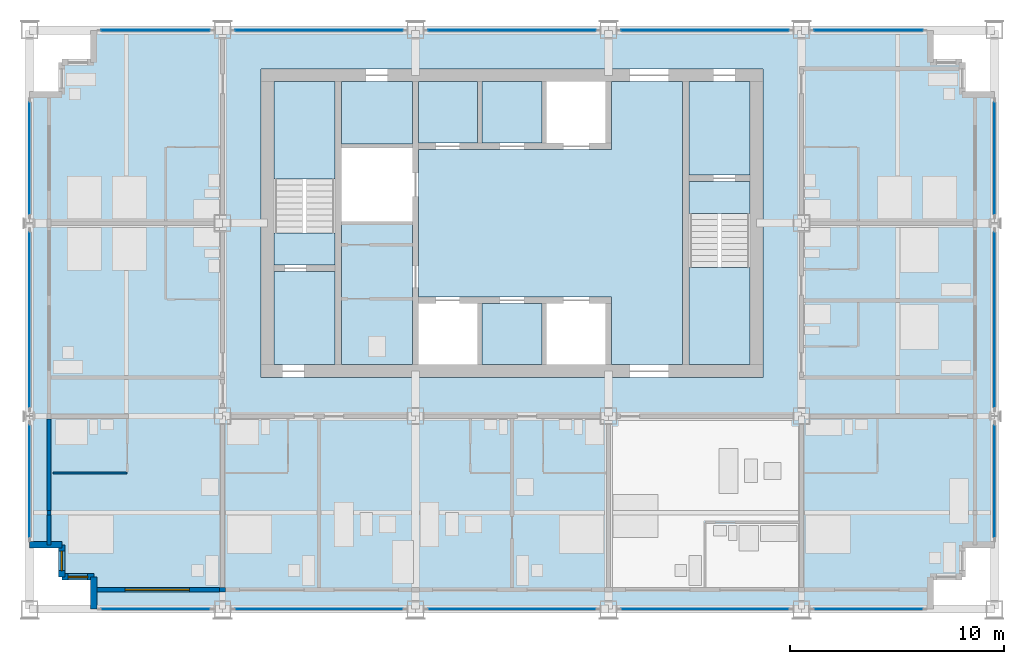
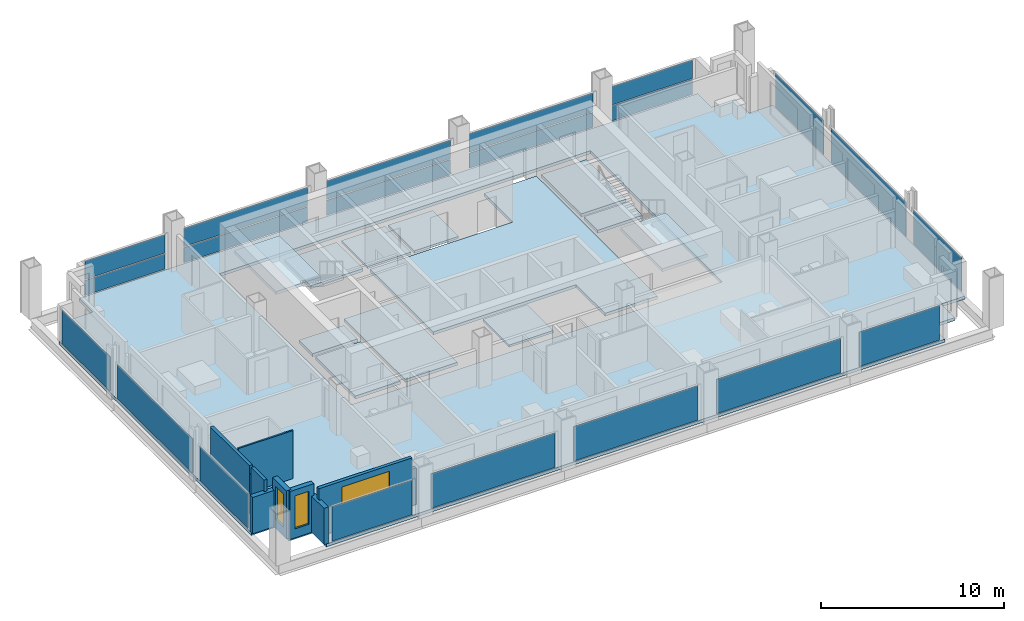
# One storey, part 6 of 13: 21 plates, 13 slabs, 10 walls, 3 windows, 3 openings, 18 elements without a shape of their own.
"""IFC4 building model written with IfcOpenShell, lengths in metres."""

from ifc_helpers import new_model, si_unit, direction, frame, frame_2d, origin, origin_2d, place, context, subcontext, project, spatial, polyline, rectangle, outline, extrude, material, layer, layer_set, type_object, element, fill, aggregate, save


model = new_model("IFC4")

# Units and contexts
model_context = context("Model", 3, precision=1e-05, world=origin(), true_north=direction((0.0, 1.0)))
body_context = subcontext(model_context, "Body", "Model", "MODEL_VIEW")
ifc_project = project(units=[si_unit("LENGTHUNIT", "METRE"), si_unit("AREAUNIT", "SQUARE_METRE"), si_unit("VOLUMEUNIT", "CUBIC_METRE"), si_unit("PLANEANGLEUNIT", "RADIAN"), si_unit("MASSUNIT", "GRAM", prefix="KILO")], contexts=[model_context])

# Site, building, storey
site_placement = place(None, origin())
site = spatial("IfcSite", under=ifc_project, at=site_placement, CompositionType="ELEMENT")
building_placement = place(site_placement, origin())
building = spatial("IfcBuilding", under=site, at=building_placement, Name="Loomwork Tower", CompositionType="ELEMENT")
storey_placement = place(building_placement, frame((0.0, 0.0, 194.39990234375)))
storey = spatial("IfcBuildingStorey", under=building, at=storey_placement, Name="L53", CompositionType="ELEMENT", Elevation=194.39990234375)

# Slabs
ifc_material_1 = material(Name="Concrete 5000 psi (34 MPa) on composite metal deck", Category="concrete")
ifc_layer_1 = layer(ifc_material_1, 0.199951171875)
ifc_layer_set_1 = layer_set([ifc_layer_1], Name="Floor slab 200")
slab_type_1 = type_object("IfcSlabType", Name="Floor slab 200", PredefinedType="FLOOR", material=ifc_layer_set_1)
slab_1_placement = place(storey_placement, frame((0.0, 0.0, -0.199951171875)))
element("IfcSlab", 1, at=slab_1_placement, inside=storey, type_object=slab_type_1, Name="Floor slab L53", PredefinedType="FLOOR", context=body_context, shape_type="SweptSolid", body=[
    extrude(outline(polyline([(3.0, 1.5), (1.5, 1.5), (1.5, 3.0), (0.0, 3.0), (0.0, 24.0), (1.5, 24.0), (1.5, 25.5), (3.0, 25.5), (3.0, 27.0), (42.0, 27.0), (42.0, 25.5), (43.5, 25.5), (43.5, 24.0), (45.0, 24.0), (45.0, 3.0), (43.5, 3.0), (43.5, 1.5), (42.0, 1.5), (42.0, 0.0), (3.0, 0.0), (3.0, 1.5)]), holes=[polyline([(10.800048828125, 11.39990234375), (10.800048828125, 11.39990234375), (10.800048828125, 10.800048828125), (34.199951171875, 10.800048828125), (34.199951171875, 11.39990234375), (34.199951171875, 11.39990234375), (34.199951171875, 24.60009765625), (34.199951171875, 25.199951171875), (10.800048828125, 25.199951171875), (10.800048828125, 24.60009765625), (10.800048828125, 11.39990234375)])]), origin(), (0.0, 0.0, 1.0), 0.199951171875),
])
slab_2_placement = place(storey_placement, frame((0.0, 0.0, -0.199951171875)))
element("IfcSlab", 2, at=slab_2_placement, inside=storey, type_object=slab_type_1, Name="Floor slab L53", PredefinedType="FLOOR", context=body_context, shape_type="SweptSolid", body=[
    extrude(outline(polyline([(30.449951171875, 24.60009765625), (30.449951171875, 11.39990234375), (27.14990234375, 11.39990234375), (27.14990234375, 14.25), (27.14990234375, 14.550048828125), (18.14990234375, 14.550048828125), (18.14990234375, 21.449951171875), (27.14990234375, 21.449951171875), (27.14990234375, 21.75), (27.14990234375, 24.60009765625), (30.449951171875, 24.60009765625)])), origin(), (0.0, 0.0, 1.0), 0.199951171875),
])
slab_3_placement = place(storey_placement, frame((0.0, 0.0, -0.199951171875)))
element("IfcSlab", 3, at=slab_3_placement, inside=storey, type_object=slab_type_1, Name="Floor slab L53", PredefinedType="FLOOR", context=body_context, shape_type="SweptSolid", body=[
    extrude(outline(polyline([(14.550048828125, 11.39990234375), (14.550048828125, 18.074951171875), (17.85009765625, 18.074951171875), (17.85009765625, 11.39990234375), (14.550048828125, 11.39990234375)])), origin(), (0.0, 0.0, 1.0), 0.199951171875),
])
slab_4_placement = place(storey_placement, frame((0.0, 0.0, -0.199951171875)))
element("IfcSlab", 4, at=slab_4_placement, inside=storey, type_object=slab_type_1, Name="Floor slab L53", PredefinedType="FLOOR", context=body_context, shape_type="SweptSolid", body=[
    extrude(outline(polyline([(33.60009765625, 20.25), (30.75, 20.25), (30.75, 24.60009765625), (33.60009765625, 24.60009765625), (33.60009765625, 20.25)])), origin(), (0.0, 0.0, 1.0), 0.199951171875),
])
slab_5_placement = place(storey_placement, frame((0.0, 0.0, -0.199951171875)))
element("IfcSlab", 5, at=slab_5_placement, inside=storey, type_object=slab_type_1, Name="Floor slab L53", PredefinedType="FLOOR", context=body_context, shape_type="SweptSolid", body=[
    extrude(outline(polyline([(14.25, 15.75), (14.25, 11.39990234375), (11.39990234375, 11.39990234375), (11.39990234375, 15.75), (14.25, 15.75)])), origin(), (0.0, 0.0, 1.0), 0.199951171875),
])
slab_6_placement = place(storey_placement, frame((0.0, 0.0, -0.199951171875)))
element("IfcSlab", 6, at=slab_6_placement, inside=storey, type_object=slab_type_1, Name="Floor slab L53", PredefinedType="FLOOR", context=body_context, shape_type="SweptSolid", body=[
    extrude(outline(polyline([(14.550048828125, 21.699951171875), (14.550048828125, 24.60009765625), (17.85009765625, 24.60009765625), (17.85009765625, 21.699951171875), (14.550048828125, 21.699951171875)])), origin(), (0.0, 0.0, 1.0), 0.199951171875),
])

# Curtain wall, plate
ifc_material_2 = material(Name="Aluminium curtain wall frame", Category="aluminium")
curtain_wall_type_1 = type_object("IfcCurtainWallType", Name="Outer skin glazing hotel", PredefinedType="NOTDEFINED", material=ifc_material_2)
curtain_wall_1_placement = place(storey_placement, origin())
curtain_wall_1 = element("IfcCurtainWall", 7, at=curtain_wall_1_placement, inside=storey, type_object=curtain_wall_type_1, Name="Outer skin glazing hotel cw/S-0", PredefinedType="NOTDEFINED")
ifc_material_3 = material(Name="Clear laminated glass", Category="glass")
ifc_layer_2 = layer(ifc_material_3, 0.02392578125)
ifc_layer_set_2 = layer_set([ifc_layer_2], Name="Outer skin glazing hotel panel")
plate_type_1 = type_object("IfcPlateType", Name="Outer skin glazing hotel panel", PredefinedType="CURTAIN_PANEL", material=ifc_layer_set_2)
plate_1_placement = place(storey_placement, frame((5.875, 0.0, 0.06494140625), z_axis=(0.0, 0.0, 1.0), x_axis=(1.0, 0.0, 0.0)))
plate_1 = element("IfcPlate", 8, at=plate_1_placement, type_object=plate_type_1, Name="CW1 panel 1.1", PredefinedType="CURTAIN_PANEL", context=body_context, shape_type="SweptSolid", body=[
    extrude(rectangle(XDim=5.050048828125, YDim=0.02392578125, at=origin_2d()), origin(), (0.0, 0.0, 1.0), 2.290283203125),
])
aggregate(curtain_wall_1, [plate_1])

curtain_wall_2_placement = place(storey_placement, origin())
curtain_wall_2 = element("IfcCurtainWall", 9, at=curtain_wall_2_placement, inside=storey, type_object=curtain_wall_type_1, Name="Outer skin glazing hotel cw/S-9", PredefinedType="NOTDEFINED")
plate_2_placement = place(storey_placement, frame((13.5, 0.0, 0.06494140625), z_axis=(0.0, 0.0, 1.0), x_axis=(1.0, 0.0, 0.0)))
plate_2 = element("IfcPlate", 10, at=plate_2_placement, type_object=plate_type_1, Name="CW1 panel 1.1", PredefinedType="CURTAIN_PANEL", context=body_context, shape_type="SweptSolid", body=[
    extrude(rectangle(XDim=7.800048828125, YDim=0.02392578125, at=origin_2d()), origin(), (0.0, 0.0, 1.0), 2.290283203125),
])
aggregate(curtain_wall_2, [plate_2])

curtain_wall_3_placement = place(storey_placement, origin())
curtain_wall_3 = element("IfcCurtainWall", 11, at=curtain_wall_3_placement, inside=storey, type_object=curtain_wall_type_1, Name="Outer skin glazing hotel cw/S-18", PredefinedType="NOTDEFINED")
plate_3_placement = place(storey_placement, frame((22.5, 0.0, 0.06494140625), z_axis=(0.0, 0.0, 1.0), x_axis=(1.0, 0.0, 0.0)))
plate_3 = element("IfcPlate", 12, at=plate_3_placement, type_object=plate_type_1, Name="CW1 panel 1.1", PredefinedType="CURTAIN_PANEL", context=body_context, shape_type="SweptSolid", body=[
    extrude(rectangle(XDim=7.800048828125, YDim=0.02392578125, at=origin_2d()), origin(), (0.0, 0.0, 1.0), 2.290283203125),
])
aggregate(curtain_wall_3, [plate_3])

curtain_wall_4_placement = place(storey_placement, origin())
curtain_wall_4 = element("IfcCurtainWall", 13, at=curtain_wall_4_placement, inside=storey, type_object=curtain_wall_type_1, Name="Outer skin glazing hotel cw/S-27", PredefinedType="NOTDEFINED")
plate_4_placement = place(storey_placement, frame((31.5, 0.0, 0.06494140625), z_axis=(0.0, 0.0, 1.0), x_axis=(1.0, 0.0, 0.0)))
plate_4 = element("IfcPlate", 14, at=plate_4_placement, type_object=plate_type_1, Name="CW1 panel 1.1", PredefinedType="CURTAIN_PANEL", context=body_context, shape_type="SweptSolid", body=[
    extrude(rectangle(XDim=7.800048828125, YDim=0.02392578125, at=origin_2d()), origin(), (0.0, 0.0, 1.0), 2.290283203125),
])
aggregate(curtain_wall_4, [plate_4])

curtain_wall_5_placement = place(storey_placement, origin())
curtain_wall_5 = element("IfcCurtainWall", 15, at=curtain_wall_5_placement, inside=storey, type_object=curtain_wall_type_1, Name="Outer skin glazing hotel cw/S-36", PredefinedType="NOTDEFINED")
plate_5_placement = place(storey_placement, frame((39.125, 0.0, 0.06494140625), z_axis=(0.0, 0.0, 1.0), x_axis=(1.0, 0.0, 0.0)))
plate_5 = element("IfcPlate", 16, at=plate_5_placement, type_object=plate_type_1, Name="CW1 panel 1.1", PredefinedType="CURTAIN_PANEL", context=body_context, shape_type="SweptSolid", body=[
    extrude(rectangle(XDim=5.050048828125, YDim=0.02392578125, at=origin_2d()), origin(), (0.0, 0.0, 1.0), 2.290283203125),
])
aggregate(curtain_wall_5, [plate_5])

curtain_wall_6_placement = place(storey_placement, origin())
curtain_wall_6 = element("IfcCurtainWall", 17, at=curtain_wall_6_placement, inside=storey, type_object=curtain_wall_type_1, Name="Outer skin glazing hotel cw/W-0", PredefinedType="NOTDEFINED")
plate_6_placement = place(storey_placement, frame((0.0, 5.96826171875, 0.06494140625), z_axis=(0.0, 0.0, 1.0), x_axis=(0.0, -1.0, 0.0)))
plate_6 = element("IfcPlate", 18, at=plate_6_placement, type_object=plate_type_1, Name="CW1 panel 1.1", PredefinedType="CURTAIN_PANEL", context=body_context, shape_type="SweptSolid", body=[
    extrude(rectangle(XDim=5.236572265625, YDim=0.02392578125, at=origin_2d()), origin(), (0.0, 0.0, 1.0), 2.290283203125),
])
aggregate(curtain_wall_6, [plate_6])

curtain_wall_7_placement = place(storey_placement, origin())
curtain_wall_7 = element("IfcCurtainWall", 19, at=curtain_wall_7_placement, inside=storey, type_object=curtain_wall_type_1, Name="Outer skin glazing hotel cw/W-9", PredefinedType="NOTDEFINED")
plate_7_placement = place(storey_placement, frame((0.0, 13.5, 0.06494140625), z_axis=(0.0, 0.0, 1.0), x_axis=(0.0, -1.0, 0.0)))
plate_7 = element("IfcPlate", 20, at=plate_7_placement, type_object=plate_type_1, Name="CW1 panel 1.1", PredefinedType="CURTAIN_PANEL", context=body_context, shape_type="SweptSolid", body=[
    extrude(rectangle(XDim=8.173095703125, YDim=0.02392578125, at=origin_2d()), origin(), (0.0, 0.0, 1.0), 2.290283203125),
])
aggregate(curtain_wall_7, [plate_7])

curtain_wall_8_placement = place(storey_placement, origin())
curtain_wall_8 = element("IfcCurtainWall", 21, at=curtain_wall_8_placement, inside=storey, type_object=curtain_wall_type_1, Name="Outer skin glazing hotel cw/W-18", PredefinedType="NOTDEFINED")
plate_8_placement = place(storey_placement, frame((0.0, 21.03173828125, 0.06494140625), z_axis=(0.0, 0.0, 1.0), x_axis=(0.0, -1.0, 0.0)))
plate_8 = element("IfcPlate", 22, at=plate_8_placement, type_object=plate_type_1, Name="CW1 panel 1.1", PredefinedType="CURTAIN_PANEL", context=body_context, shape_type="SweptSolid", body=[
    extrude(rectangle(XDim=5.236572265625, YDim=0.02392578125, at=origin_2d()), origin(), (0.0, 0.0, 1.0), 2.290283203125),
])
aggregate(curtain_wall_8, [plate_8])

curtain_wall_9_placement = place(storey_placement, origin())
curtain_wall_9 = element("IfcCurtainWall", 23, at=curtain_wall_9_placement, inside=storey, type_object=curtain_wall_type_1, Name="Outer skin glazing hotel cw/E-0", PredefinedType="NOTDEFINED")
plate_9_placement = place(storey_placement, frame((45.0, 5.96826171875, 0.06494140625), z_axis=(0.0, 0.0, 1.0), x_axis=(0.0, 1.0, 0.0)))
plate_9 = element("IfcPlate", 24, at=plate_9_placement, type_object=plate_type_1, Name="CW1 panel 1.1", PredefinedType="CURTAIN_PANEL", context=body_context, shape_type="SweptSolid", body=[
    extrude(rectangle(XDim=5.236572265625, YDim=0.02392578125, at=origin_2d()), origin(), (0.0, 0.0, 1.0), 2.290283203125),
])
aggregate(curtain_wall_9, [plate_9])

curtain_wall_10_placement = place(storey_placement, origin())
curtain_wall_10 = element("IfcCurtainWall", 25, at=curtain_wall_10_placement, inside=storey, type_object=curtain_wall_type_1, Name="Outer skin glazing hotel cw/E-9", PredefinedType="NOTDEFINED")
plate_10_placement = place(storey_placement, frame((45.0, 13.5, 0.06494140625), z_axis=(0.0, 0.0, 1.0), x_axis=(0.0, 1.0, 0.0)))
plate_10 = element("IfcPlate", 26, at=plate_10_placement, type_object=plate_type_1, Name="CW1 panel 1.1", PredefinedType="CURTAIN_PANEL", context=body_context, shape_type="SweptSolid", body=[
    extrude(rectangle(XDim=8.173095703125, YDim=0.02392578125, at=origin_2d()), origin(), (0.0, 0.0, 1.0), 2.290283203125),
])
aggregate(curtain_wall_10, [plate_10])

curtain_wall_11_placement = place(storey_placement, origin())
curtain_wall_11 = element("IfcCurtainWall", 27, at=curtain_wall_11_placement, inside=storey, type_object=curtain_wall_type_1, Name="Outer skin glazing hotel cw/E-18", PredefinedType="NOTDEFINED")
plate_11_placement = place(storey_placement, frame((45.0, 21.03173828125, 0.06494140625), z_axis=(0.0, 0.0, 1.0), x_axis=(0.0, 1.0, 0.0)))
plate_11 = element("IfcPlate", 28, at=plate_11_placement, type_object=plate_type_1, Name="CW1 panel 1.1", PredefinedType="CURTAIN_PANEL", context=body_context, shape_type="SweptSolid", body=[
    extrude(rectangle(XDim=5.236572265625, YDim=0.02392578125, at=origin_2d()), origin(), (0.0, 0.0, 1.0), 2.290283203125),
])
aggregate(curtain_wall_11, [plate_11])

# Slabs
ifc_material_4 = material(Name="Concrete 5000 psi (34 MPa) on composite metal deck", Category="concrete")
ifc_layer_3 = layer(ifc_material_4, 0.14990234375)
ifc_layer_set_3 = layer_set([ifc_layer_3], Name="Shaft infill floor 150")
slab_type_2 = type_object("IfcSlabType", Name="Shaft infill floor 150", PredefinedType="FLOOR", material=ifc_layer_set_3)
slab_7_placement = place(storey_placement, frame((0.0, 0.0, -0.14990234375)))
element("IfcSlab", 29, at=slab_7_placement, inside=storey, type_object=slab_type_2, Name="Shaft infill floor LS1 L53", PredefinedType="FLOOR", context=body_context, shape_type="SweptSolid", body=[
    extrude(outline(polyline([(18.14990234375, 21.75), (20.89990234375, 21.75), (20.89990234375, 24.60009765625), (18.14990234375, 24.60009765625), (18.14990234375, 21.75)])), origin(), (0.0, 0.0, 1.0), 0.14990234375),
])
slab_8_placement = place(storey_placement, frame((0.0, 0.0, -0.14990234375)))
element("IfcSlab", 30, at=slab_8_placement, inside=storey, type_object=slab_type_2, Name="Shaft infill floor LS2 L53", PredefinedType="FLOOR", context=body_context, shape_type="SweptSolid", body=[
    extrude(outline(polyline([(21.10009765625, 21.75), (23.89990234375, 21.75), (23.89990234375, 24.60009765625), (21.10009765625, 24.60009765625), (21.10009765625, 21.75)])), origin(), (0.0, 0.0, 1.0), 0.14990234375),
])
slab_9_placement = place(storey_placement, frame((0.0, 0.0, -0.14990234375)))
element("IfcSlab", 31, at=slab_9_placement, inside=storey, type_object=slab_type_2, Name="Shaft infill floor S2 L53", PredefinedType="FLOOR", context=body_context, shape_type="SweptSolid", body=[
    extrude(outline(polyline([(21.10009765625, 11.39990234375), (23.89990234375, 11.39990234375), (23.89990234375, 14.25), (21.10009765625, 14.25), (21.10009765625, 11.39990234375)])), origin(), (0.0, 0.0, 1.0), 0.14990234375),
])

# Curtain wall, plates
ifc_material_5 = material(Name="Aluminium curtain wall frame", Category="aluminium")
curtain_wall_type_2 = type_object("IfcCurtainWallType", Name="Single skin glazing corridor", PredefinedType="NOTDEFINED", material=ifc_material_5)
curtain_wall_12_placement = place(storey_placement, origin())
curtain_wall_12 = element("IfcCurtainWall", 32, at=curtain_wall_12_placement, inside=storey, type_object=curtain_wall_type_2, Name="Single skin glazing corridor cw/N-0", PredefinedType="NOTDEFINED")
ifc_material_6 = material(Name="Clear insulated glass", Category="glass")
ifc_layer_4 = layer(ifc_material_6, 0.031982421875)
ifc_layer_set_4 = layer_set([ifc_layer_4], Name="Single skin glazing corridor panel")
plate_type_2 = type_object("IfcPlateType", Name="Single skin glazing corridor panel", PredefinedType="CURTAIN_PANEL", material=ifc_layer_set_4)
plate_12_placement = place(storey_placement, frame((5.875, 27.0, 0.065185546875), z_axis=(0.0, 0.0, 1.0), x_axis=(-1.0, 0.0, 0.0)))
plate_12 = element("IfcPlate", 33, at=plate_12_placement, type_object=plate_type_2, Name="CW3 panel 1.1", PredefinedType="CURTAIN_PANEL", context=body_context, shape_type="SweptSolid", body=[
    extrude(rectangle(XDim=5.050048828125, YDim=0.031982421875, at=origin_2d()), origin(), (0.0, 0.0, 1.0), 1.00244140625),
])
plate_13_placement = place(storey_placement, frame((5.875, 27.0, 1.132568359375), z_axis=(0.0, 0.0, 1.0), x_axis=(-1.0, 0.0, 0.0)))
plate_13 = element("IfcPlate", 34, at=plate_13_placement, type_object=plate_type_2, Name="CW3 panel 1.2", PredefinedType="CURTAIN_PANEL", context=body_context, shape_type="SweptSolid", body=[
    extrude(rectangle(XDim=5.050048828125, YDim=0.031982421875, at=origin_2d()), origin(), (0.0, 0.0, 1.0), 1.22265625),
])
aggregate(curtain_wall_12, [plate_12, plate_13])

curtain_wall_13_placement = place(storey_placement, origin())
curtain_wall_13 = element("IfcCurtainWall", 35, at=curtain_wall_13_placement, inside=storey, type_object=curtain_wall_type_2, Name="Single skin glazing corridor cw/N-9", PredefinedType="NOTDEFINED")
plate_14_placement = place(storey_placement, frame((13.5, 27.0, 0.065185546875), z_axis=(0.0, 0.0, 1.0), x_axis=(-1.0, 0.0, 0.0)))
plate_14 = element("IfcPlate", 36, at=plate_14_placement, type_object=plate_type_2, Name="CW3 panel 1.1", PredefinedType="CURTAIN_PANEL", context=body_context, shape_type="SweptSolid", body=[
    extrude(rectangle(XDim=7.800048828125, YDim=0.031982421875, at=origin_2d()), origin(), (0.0, 0.0, 1.0), 1.00244140625),
])
plate_15_placement = place(storey_placement, frame((13.5, 27.0, 1.132568359375), z_axis=(0.0, 0.0, 1.0), x_axis=(-1.0, 0.0, 0.0)))
plate_15 = element("IfcPlate", 37, at=plate_15_placement, type_object=plate_type_2, Name="CW3 panel 1.2", PredefinedType="CURTAIN_PANEL", context=body_context, shape_type="SweptSolid", body=[
    extrude(rectangle(XDim=7.800048828125, YDim=0.031982421875, at=origin_2d()), origin(), (0.0, 0.0, 1.0), 1.22265625),
])
aggregate(curtain_wall_13, [plate_14, plate_15])

curtain_wall_14_placement = place(storey_placement, origin())
curtain_wall_14 = element("IfcCurtainWall", 38, at=curtain_wall_14_placement, inside=storey, type_object=curtain_wall_type_2, Name="Single skin glazing corridor cw/N-18", PredefinedType="NOTDEFINED")
plate_16_placement = place(storey_placement, frame((22.5, 27.0, 0.065185546875), z_axis=(0.0, 0.0, 1.0), x_axis=(-1.0, 0.0, 0.0)))
plate_16 = element("IfcPlate", 39, at=plate_16_placement, type_object=plate_type_2, Name="CW3 panel 1.1", PredefinedType="CURTAIN_PANEL", context=body_context, shape_type="SweptSolid", body=[
    extrude(rectangle(XDim=7.800048828125, YDim=0.031982421875, at=origin_2d()), origin(), (0.0, 0.0, 1.0), 1.00244140625),
])
plate_17_placement = place(storey_placement, frame((22.5, 27.0, 1.132568359375), z_axis=(0.0, 0.0, 1.0), x_axis=(-1.0, 0.0, 0.0)))
plate_17 = element("IfcPlate", 40, at=plate_17_placement, type_object=plate_type_2, Name="CW3 panel 1.2", PredefinedType="CURTAIN_PANEL", context=body_context, shape_type="SweptSolid", body=[
    extrude(rectangle(XDim=7.800048828125, YDim=0.031982421875, at=origin_2d()), origin(), (0.0, 0.0, 1.0), 1.22265625),
])
aggregate(curtain_wall_14, [plate_16, plate_17])

curtain_wall_15_placement = place(storey_placement, origin())
curtain_wall_15 = element("IfcCurtainWall", 41, at=curtain_wall_15_placement, inside=storey, type_object=curtain_wall_type_2, Name="Single skin glazing corridor cw/N-27", PredefinedType="NOTDEFINED")
plate_18_placement = place(storey_placement, frame((31.5, 27.0, 0.065185546875), z_axis=(0.0, 0.0, 1.0), x_axis=(-1.0, 0.0, 0.0)))
plate_18 = element("IfcPlate", 42, at=plate_18_placement, type_object=plate_type_2, Name="CW3 panel 1.1", PredefinedType="CURTAIN_PANEL", context=body_context, shape_type="SweptSolid", body=[
    extrude(rectangle(XDim=7.800048828125, YDim=0.031982421875, at=origin_2d()), origin(), (0.0, 0.0, 1.0), 1.00244140625),
])
plate_19_placement = place(storey_placement, frame((31.5, 27.0, 1.132568359375), z_axis=(0.0, 0.0, 1.0), x_axis=(-1.0, 0.0, 0.0)))
plate_19 = element("IfcPlate", 43, at=plate_19_placement, type_object=plate_type_2, Name="CW3 panel 1.2", PredefinedType="CURTAIN_PANEL", context=body_context, shape_type="SweptSolid", body=[
    extrude(rectangle(XDim=7.800048828125, YDim=0.031982421875, at=origin_2d()), origin(), (0.0, 0.0, 1.0), 1.22265625),
])
aggregate(curtain_wall_15, [plate_18, plate_19])

curtain_wall_16_placement = place(storey_placement, origin())
curtain_wall_16 = element("IfcCurtainWall", 44, at=curtain_wall_16_placement, inside=storey, type_object=curtain_wall_type_2, Name="Single skin glazing corridor cw/N-36", PredefinedType="NOTDEFINED")
plate_20_placement = place(storey_placement, frame((39.125, 27.0, 0.065185546875), z_axis=(0.0, 0.0, 1.0), x_axis=(-1.0, 0.0, 0.0)))
plate_20 = element("IfcPlate", 45, at=plate_20_placement, type_object=plate_type_2, Name="CW3 panel 1.1", PredefinedType="CURTAIN_PANEL", context=body_context, shape_type="SweptSolid", body=[
    extrude(rectangle(XDim=5.050048828125, YDim=0.031982421875, at=origin_2d()), origin(), (0.0, 0.0, 1.0), 1.00244140625),
])
plate_21_placement = place(storey_placement, frame((39.125, 27.0, 1.132568359375), z_axis=(0.0, 0.0, 1.0), x_axis=(-1.0, 0.0, 0.0)))
plate_21 = element("IfcPlate", 46, at=plate_21_placement, type_object=plate_type_2, Name="CW3 panel 1.2", PredefinedType="CURTAIN_PANEL", context=body_context, shape_type="SweptSolid", body=[
    extrude(rectangle(XDim=5.050048828125, YDim=0.031982421875, at=origin_2d()), origin(), (0.0, 0.0, 1.0), 1.22265625),
])
aggregate(curtain_wall_16, [plate_20, plate_21])

# Stair, slabs
ifc_material_7 = material(Name="Concrete 5000 psi (34 MPa) precast stair", Category="concrete")
stair_type_1 = type_object("IfcStairType", Name="Stair ST-A 20 risers 2850 wide", PredefinedType="HALF_TURN_STAIR", material=ifc_material_7)
stair_1_placement = place(storey_placement, origin())
stair_1 = element("IfcStair", 47, at=stair_1_placement, inside=storey, type_object=stair_type_1, Name="Stair A L53", PredefinedType="HALF_TURN_STAIR")
ifc_material_8 = material(Name="Concrete 5000 psi (34 MPa)", Category="concrete")
ifc_layer_5 = layer(ifc_material_8, 0.199951171875)
ifc_layer_set_5 = layer_set([ifc_layer_5], Name="Stair landing 200")
slab_type_3 = type_object("IfcSlabType", Name="Stair landing 200", PredefinedType="LANDING", material=ifc_layer_set_5)
slab_10_placement = place(storey_placement, frame((0.0, 0.0, -0.199951171875)))
slab_10 = element("IfcSlab", 48, at=slab_10_placement, type_object=slab_type_3, Name="ST-A landing 1", PredefinedType="LANDING", context=body_context, shape_type="SweptSolid", body=[
    extrude(outline(polyline([(11.39990234375, 16.050048828125), (14.25, 16.050048828125), (14.25, 17.550048828125), (11.39990234375, 17.550048828125), (11.39990234375, 16.050048828125)])), origin(), (0.0, 0.0, 1.0), 0.199951171875),
])
slab_11_placement = place(storey_placement, frame((0.0, 0.0, 1.5)))
slab_11 = element("IfcSlab", 49, at=slab_11_placement, type_object=slab_type_3, Name="ST-A landing 2", PredefinedType="LANDING", context=body_context, shape_type="SweptSolid", body=[
    extrude(outline(polyline([(11.39990234375, 20.070068359375), (14.25, 20.070068359375), (14.25, 24.60009765625), (11.39990234375, 24.60009765625), (11.39990234375, 20.070068359375)])), origin(), (0.0, 0.0, 1.0), 0.2001953125),
])
aggregate(stair_1, [slab_10, slab_11])

ifc_material_9 = material(Name="Concrete 5000 psi (34 MPa) precast stair", Category="concrete")
stair_type_2 = type_object("IfcStairType", Name="Stair ST-B 20 risers 2850 wide", PredefinedType="HALF_TURN_STAIR", material=ifc_material_9)
stair_2_placement = place(storey_placement, origin())
stair_2 = element("IfcStair", 50, at=stair_2_placement, inside=storey, type_object=stair_type_2, Name="Stair B L53", PredefinedType="HALF_TURN_STAIR")
slab_12_placement = place(storey_placement, frame((0.0, 0.0, -0.199951171875)))
slab_12 = element("IfcSlab", 51, at=slab_12_placement, type_object=slab_type_3, Name="ST-B landing 1", PredefinedType="LANDING", context=body_context, shape_type="SweptSolid", body=[
    extrude(outline(polyline([(30.75, 18.449951171875), (33.60009765625, 18.449951171875), (33.60009765625, 19.949951171875), (30.75, 19.949951171875), (30.75, 18.449951171875)])), origin(), (0.0, 0.0, 1.0), 0.199951171875),
])
slab_13_placement = place(storey_placement, frame((0.0, 0.0, 1.5)))
slab_13 = element("IfcSlab", 52, at=slab_13_placement, type_object=slab_type_3, Name="ST-B landing 2", PredefinedType="LANDING", context=body_context, shape_type="SweptSolid", body=[
    extrude(outline(polyline([(30.75, 11.39990234375), (33.60009765625, 11.39990234375), (33.60009765625, 15.929931640625), (30.75, 15.929931640625), (30.75, 11.39990234375)])), origin(), (0.0, 0.0, 1.0), 0.2001953125),
])
aggregate(stair_2, [slab_12, slab_13])

# Wall
ifc_material_10 = material(Name="Cement board on steel studs", Category="steel")
ifc_layer_6 = layer(ifc_material_10, 0.10009765625)
ifc_layer_set_6 = layer_set([ifc_layer_6], Name="En-suite partition 100")
wall_type_1 = type_object("IfcWallType", Name="En-suite partition 100", PredefinedType="PARTITIONING", material=ifc_layer_set_6)
wall_1_placement = place(storey_placement, frame((1.10009765625, 6.35009765625, 0.0), z_axis=(0.0, 0.0, 1.0), x_axis=(1.0, 0.0, 0.0)))
element("IfcWall", 53, at=wall_1_placement, inside=storey, type_object=wall_type_1, Name="En-suite wall L53 room 1", PredefinedType="PARTITIONING", context=body_context, shape_type="SweptSolid", body=[
    extrude(rectangle(XDim=3.449951171875, YDim=0.10009765625, at=frame_2d((1.72509765625, 0.0))), origin(), (0.0, 0.0, 1.0), 3.2001953125),
])

# Wall, opening, window
ifc_material_11 = material(Name="Insulated steel stud wall with gypsum lining", Category="steel")
ifc_layer_7 = layer(ifc_material_11, 0.199951171875)
ifc_layer_set_7 = layer_set([ifc_layer_7], Name="Inner skin wall 200")
wall_type_2 = type_object("IfcWallType", Name="Inner skin wall 200", PredefinedType="SOLIDWALL", material=ifc_layer_set_7)
wall_2_placement = place(storey_placement, frame((3.0, 0.89990234375, 0.0), z_axis=(0.0, 0.0, 1.0), x_axis=(1.0, 0.0, 0.0)))
wall_2 = element("IfcWall", 54, at=wall_2_placement, inside=storey, type_object=wall_type_2, Name="Inner skin wall S", PredefinedType="SOLIDWALL", context=body_context, shape_type="SweptSolid", body=[
    extrude(rectangle(XDim=5.86474609375, YDim=0.199951171875, at=frame_2d((2.932373046875, 0.0))), origin(), (0.0, 0.0, 1.0), 3.2001953125),
])
opening_1_placement = place(wall_2_placement, frame((1.449951171875, 0.0, 0.60009765625)))
opening_1 = element("IfcOpeningElement", 55, at=opening_1_placement, cuts=wall_2, Name="Opening CH1", PredefinedType="OPENING", context=body_context, shape_type="SweptSolid", body=[
    extrude(rectangle(XDim=3.0, YDim=2.199951171875, at=frame_2d((1.5, 1.10009765625))), frame((0.0, 0.10986328125, 0.0), z_axis=(0.0, -1.0, 0.0), x_axis=(1.0, 0.0, 0.0)), (0.0, 0.0, 1.0), 0.219970703125),
])
ifc_material_12 = material(Name="Aluminium frame with clear insulated glass", Category="aluminium")
window_type_1 = type_object("IfcWindowType", Name="Chicago window 3000", PartitioningType="TRIPLE_PANEL_VERTICAL", PredefinedType="WINDOW", material=ifc_material_12)
window_1_placement = place(opening_1_placement, origin())
window_1 = element("IfcWindow", 56, at=window_1_placement, inside=storey, type_object=window_type_1, Name="Chicago window L53 bay 1", OverallHeight=2.199951171875, OverallWidth=3.0, PartitioningType="TRIPLE_PANEL_VERTICAL", PredefinedType="WINDOW", context=body_context, shape_type="SweptSolid", body=[
    extrude(rectangle(XDim=3.0, YDim=2.199951171875, at=frame_2d((1.5, 1.10009765625))), frame((0.0, 0.030029296875, 0.0), z_axis=(0.0, -1.0, 0.0), x_axis=(1.0, 0.0, 0.0)), (0.0, 0.0, 1.0), 0.06005859375),
])
fill(opening_1, window_1)

# Walls
wall_3_placement = place(storey_placement, frame((0.89990234375, 3.0, 0.0), z_axis=(0.0, 0.0, 1.0), x_axis=(0.0, 1.0, 0.0)))
element("IfcWall", 57, at=wall_3_placement, inside=storey, type_object=wall_type_2, Name="Inner skin wall W", PredefinedType="SOLIDWALL", context=body_context, shape_type="SweptSolid", body=[
    extrude(rectangle(XDim=1.392578125, YDim=0.199951171875, at=frame_2d((0.6962890625, 0.0))), origin(), (0.0, 0.0, 1.0), 3.2001953125),
])
wall_4_placement = place(storey_placement, frame((8.86474609375, 0.89990234375, 0.0), z_axis=(0.0, 0.0, 1.0), x_axis=(1.0, 0.0, 0.0)))
element("IfcWall", 58, at=wall_4_placement, inside=storey, type_object=wall_type_2, Name="Inner skin wall S bay 2", PredefinedType="SOLIDWALL", context=body_context, shape_type="SweptSolid", body=[
    extrude(rectangle(XDim=0.2705078125, YDim=0.199951171875, at=frame_2d((0.13525390625, 0.0))), origin(), (0.0, 0.0, 1.0), 2.43798828125),
])
wall_5_placement = place(storey_placement, frame((0.89990234375, 4.392578125, 0.0), z_axis=(0.0, 0.0, 1.0), x_axis=(0.0, 1.0, 0.0)))
element("IfcWall", 59, at=wall_5_placement, inside=storey, type_object=wall_type_2, Name="Inner skin wall W bay 2", PredefinedType="SOLIDWALL", context=body_context, shape_type="SweptSolid", body=[
    extrude(rectangle(XDim=0.21484375, YDim=0.199951171875, at=frame_2d((0.107421875, 0.0))), origin(), (0.0, 0.0, 1.0), 2.6611328125),
])
wall_6_placement = place(storey_placement, frame((0.89990234375, 4.607421875, 0.0), z_axis=(0.0, 0.0, 1.0), x_axis=(0.0, 1.0, 0.0)))
element("IfcWall", 60, at=wall_6_placement, inside=storey, type_object=wall_type_2, Name="Inner skin wall W bay 3", PredefinedType="SOLIDWALL", context=body_context, shape_type="SweptSolid", body=[
    extrude(rectangle(XDim=4.25732421875, YDim=0.199951171875, at=frame_2d((2.128662109375, 0.0))), origin(), (0.0, 0.0, 1.0), 3.2001953125),
])
ifc_material_13 = material(Name="Limestone on concrete masonry", Category="masonry")
ifc_layer_8 = layer(ifc_material_13, 0.300048828125)
ifc_layer_set_8 = layer_set([ifc_layer_8], Name="Limestone corner wall 300")
wall_type_3 = type_object("IfcWallType", Name="Limestone corner wall 300", PredefinedType="SOLIDWALL", material=ifc_layer_set_8)
wall_7_placement = place(storey_placement, frame((0.0, 3.0, 0.0), z_axis=(0.0, 0.0, 1.0), x_axis=(1.0, 0.0, 0.0)))
element("IfcWall", 61, at=wall_7_placement, inside=storey, type_object=wall_type_3, Name="Stone corner wall SW 1", PredefinedType="SOLIDWALL", context=body_context, shape_type="SweptSolid", body=[
    extrude(rectangle(XDim=1.5, YDim=0.300048828125, at=frame_2d((0.75, 0.0))), origin(), (0.0, 0.0, 1.0), 2.420166015625),
])

# Wall, opening, window
wall_8_placement = place(storey_placement, frame((1.5, 3.0, 0.0), z_axis=(0.0, 0.0, 1.0), x_axis=(0.0, -1.0, 0.0)))
wall_8 = element("IfcWall", 62, at=wall_8_placement, inside=storey, type_object=wall_type_3, Name="Stone corner wall SW 2", PredefinedType="SOLIDWALL", context=body_context, shape_type="SweptSolid", body=[
    extrude(rectangle(XDim=1.5, YDim=0.300048828125, at=frame_2d((0.75, 0.0))), origin(), (0.0, 0.0, 1.0), 3.2001953125),
])
opening_2_placement = place(wall_8_placement, frame((0.300048828125, 0.0, 0.60009765625)))
opening_2 = element("IfcOpeningElement", 63, at=opening_2_placement, cuts=wall_8, Name="Opening CH2", PredefinedType="OPENING", context=body_context, shape_type="SweptSolid", body=[
    extrude(rectangle(XDim=0.89990234375, YDim=2.199951171875, at=frame_2d((0.449951171875, 1.10009765625))), frame((0.0, 0.159912109375, 0.0), z_axis=(0.0, -1.0, 0.0), x_axis=(1.0, 0.0, 0.0)), (0.0, 0.0, 1.0), 0.320068359375),
])
ifc_material_14 = material(Name="Aluminium frame with clear insulated glass", Category="aluminium")
window_type_2 = type_object("IfcWindowType", Name="Corner window 900", PartitioningType="SINGLE_PANEL", PredefinedType="WINDOW", material=ifc_material_14)
window_2_placement = place(opening_2_placement, origin())
window_2 = element("IfcWindow", 64, at=window_2_placement, inside=storey, type_object=window_type_2, Name="Corner window SW", OverallHeight=2.199951171875, OverallWidth=0.89990234375, PartitioningType="SINGLE_PANEL", PredefinedType="WINDOW", context=body_context, shape_type="SweptSolid", body=[
    extrude(rectangle(XDim=0.89990234375, YDim=2.199951171875, at=frame_2d((0.449951171875, 1.10009765625))), frame((0.0, 0.030029296875, 0.0), z_axis=(0.0, -1.0, 0.0), x_axis=(1.0, 0.0, 0.0)), (0.0, 0.0, 1.0), 0.06005859375),
])
fill(opening_2, window_2)

wall_9_placement = place(storey_placement, frame((1.5, 1.5, 0.0), z_axis=(0.0, 0.0, 1.0), x_axis=(1.0, 0.0, 0.0)))
wall_9 = element("IfcWall", 65, at=wall_9_placement, inside=storey, type_object=wall_type_3, Name="Stone corner wall SW 3", PredefinedType="SOLIDWALL", context=body_context, shape_type="SweptSolid", body=[
    extrude(rectangle(XDim=1.5, YDim=0.300048828125, at=frame_2d((0.75, 0.0))), origin(), (0.0, 0.0, 1.0), 3.2001953125),
])
opening_3_placement = place(wall_9_placement, frame((0.300048828125, 0.0, 0.60009765625)))
opening_3 = element("IfcOpeningElement", 66, at=opening_3_placement, cuts=wall_9, Name="Opening CH2", PredefinedType="OPENING", context=body_context, shape_type="SweptSolid", body=[
    extrude(rectangle(XDim=0.89990234375, YDim=2.199951171875, at=frame_2d((0.449951171875, 1.10009765625))), frame((0.0, 0.159912109375, 0.0), z_axis=(0.0, -1.0, 0.0), x_axis=(1.0, 0.0, 0.0)), (0.0, 0.0, 1.0), 0.320068359375),
])
window_3_placement = place(opening_3_placement, origin())
window_3 = element("IfcWindow", 67, at=window_3_placement, inside=storey, type_object=window_type_2, Name="Corner window SW", OverallHeight=2.199951171875, OverallWidth=0.89990234375, PartitioningType="SINGLE_PANEL", PredefinedType="WINDOW", context=body_context, shape_type="SweptSolid", body=[
    extrude(rectangle(XDim=0.89990234375, YDim=2.199951171875, at=frame_2d((0.449951171875, 1.10009765625))), frame((0.0, 0.030029296875, 0.0), z_axis=(0.0, -1.0, 0.0), x_axis=(1.0, 0.0, 0.0)), (0.0, 0.0, 1.0), 0.06005859375),
])
fill(opening_3, window_3)

# Wall
wall_10_placement = place(storey_placement, frame((3.0, 1.5, 0.0), z_axis=(0.0, 0.0, 1.0), x_axis=(0.0, -1.0, 0.0)))
element("IfcWall", 68, at=wall_10_placement, inside=storey, type_object=wall_type_3, Name="Stone corner wall SW 4", PredefinedType="SOLIDWALL", context=body_context, shape_type="SweptSolid", body=[
    extrude(rectangle(XDim=1.5, YDim=0.300048828125, at=frame_2d((0.75, 0.0))), origin(), (0.0, 0.0, 1.0), 2.420166015625),
])

save(model, "model.ifc")
